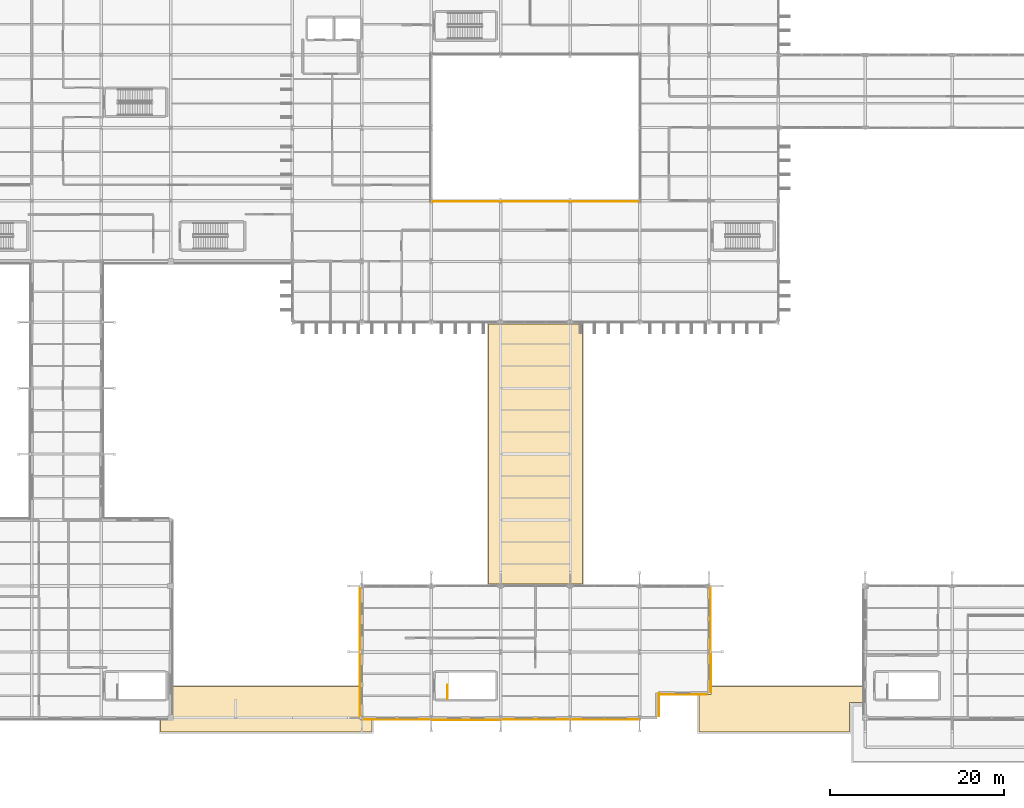
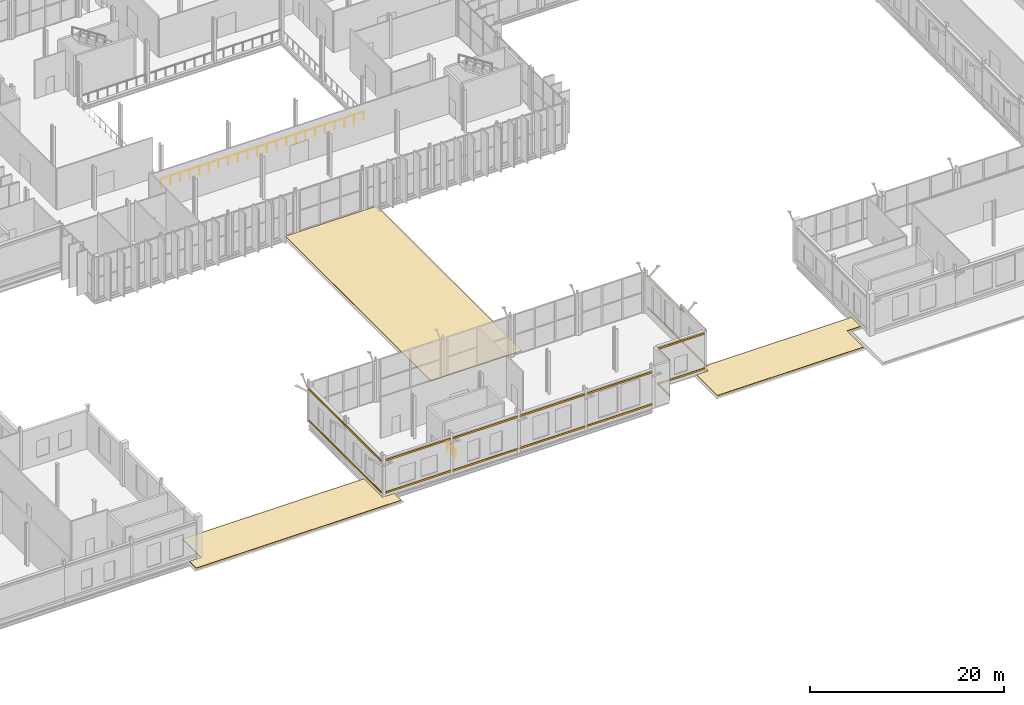
# One storey, part 134 of 147: 23 coverings, 2 railings.
"""IFC4 building model written with IfcOpenShell, lengths in metres."""

from ifc_helpers import new_model, si_unit, direction, frame, origin, origin_2d, place, context, subcontext, project, spatial, polyline, rectangle, circle, outline, extrude, material, layer, layer_set, type_object, element, save


model = new_model("IFC4")

# Units and contexts
model_context = context("Model", 3, precision=1e-05, world=origin(), true_north=direction((0.0, 1.0)))
body_context = subcontext(model_context, "Body", "Model", "MODEL_VIEW")
ifc_project = project(units=[si_unit("LENGTHUNIT", "METRE"), si_unit("AREAUNIT", "SQUARE_METRE"), si_unit("VOLUMEUNIT", "CUBIC_METRE"), si_unit("PLANEANGLEUNIT", "RADIAN"), si_unit("MASSUNIT", "GRAM", prefix="KILO")], contexts=[model_context])

# Site, building, storey
site_placement = place(None, origin())
site = spatial("IfcSite", under=ifc_project, at=site_placement, CompositionType="ELEMENT")
building_placement = place(site_placement, origin())
building = spatial("IfcBuilding", under=site, at=building_placement, Name="Vekula Escarpment Museum", CompositionType="ELEMENT")
storey_placement = place(building_placement, frame((0.0, 0.0, 7.800048828125)))
storey = spatial("IfcBuildingStorey", under=building, at=storey_placement, Name="L02", CompositionType="ELEMENT", Elevation=7.800048828125)

# Coverings
ifc_material_1 = material(Name="Polychrome limestone almasik string-course band", Category="masonry")
ifc_layer_1 = layer(ifc_material_1, 0.06005859375)
ifc_layer_set_1 = layer_set([ifc_layer_1], Name="Polychrome limestone almasik string-course band")
covering_type_1 = type_object("IfcCoveringType", Name="COV-ALM-BAND", PredefinedType="CLADDING", material=ifc_layer_set_1)
for number, where, z_axis, x_axis, name in (
    (1, (118.200927734375, 5.243896484375, 0.41015625), (0.0, 0.0, 1.0), (0.0, 1.0, 0.0), "Almasik Stone String Course L02-0478"),
    (2, (118.200927734375, 5.243896484375, 4.81982421875), (0.0, 0.0, 1.0), (0.0, 1.0, 0.0), "Almasik Stone String Course L02-0479"),
):
    element("IfcCovering", number, at=place(storey_placement, frame(where, z_axis=z_axis, x_axis=x_axis)), inside=storey, type_object=covering_type_1, Name=name, PredefinedType="CLADDING", context=body_context, shape_type="SweptSolid", body=[
        extrude(rectangle(XDim=4.592041015625, YDim=0.06005859375, at=origin_2d()), origin(), (0.0, 0.0, 1.0), 0.219970703125),
    ])
for number, where, z_axis, x_axis, name in (
    (3, (118.18603515625, 11.39990234375, 0.41015625), (0.0, 0.0, 1.0), (0.0, 1.0, 0.0), "Almasik Stone String Course L02-0480"),
    (4, (118.18603515625, 11.39990234375, 4.35498046875), (0.0, 0.0, 1.0), (0.0, 1.0, 0.0), "Almasik Stone String Course L02-0481"),
):
    element("IfcCovering", number, at=place(storey_placement, frame(where, z_axis=z_axis, x_axis=x_axis)), inside=storey, type_object=covering_type_1, Name=name, PredefinedType="CLADDING", context=body_context, shape_type="SweptSolid", body=[
        extrude(rectangle(XDim=7.47998046875, YDim=0.06005859375, at=origin_2d()), origin(), (0.0, 0.0, 1.0), 0.219970703125),
    ])
for number, where, z_axis, x_axis, name in (
    (5, (77.799072265625, 11.310546875, 0.41015625), (0.0, 0.0, 1.0), (0.0, 1.0, 0.0), "Almasik Stone String Course L02-0482"),
    (6, (77.799072265625, 11.310546875, 4.35498046875), (0.0, 0.0, 1.0), (0.0, 1.0, 0.0), "Almasik Stone String Course L02-0483"),
):
    element("IfcCovering", number, at=place(storey_placement, frame(where, z_axis=z_axis, x_axis=x_axis)), inside=storey, type_object=covering_type_1, Name=name, PredefinedType="CLADDING", context=body_context, shape_type="SweptSolid", body=[
        extrude(rectangle(XDim=7.301025390625, YDim=0.06005859375, at=origin_2d()), origin(), (0.0, 0.0, 1.0), 0.219970703125),
    ])
for number, where, z_axis, x_axis, name in (
    (7, (77.81396484375, 3.800048828125, 0.41015625), (0.0, 0.0, 1.0), (0.0, 1.0, 0.0), "Almasik Stone String Course L02-0484"),
    (8, (77.81396484375, 3.800048828125, 4.35498046875), (0.0, 0.0, 1.0), (0.0, 1.0, 0.0), "Almasik Stone String Course L02-0485"),
):
    element("IfcCovering", number, at=place(storey_placement, frame(where, z_axis=z_axis, x_axis=x_axis)), inside=storey, type_object=covering_type_1, Name=name, PredefinedType="CLADDING", context=body_context, shape_type="SweptSolid", body=[
        extrude(rectangle(XDim=7.47998046875, YDim=0.06005859375, at=origin_2d()), origin(), (0.0, 0.0, 1.0), 0.219970703125),
    ])
for number, where, z_axis, x_axis, name in (
    (9, (82.08203125, -0.176025390625, 0.41015625), (0.0, 0.0, 1.0), (1.0, 0.0, 0.0), "Almasik Stone String Course L02-0486"),
    (10, (82.08203125, -0.176025390625, 4.46484375), (0.0, 0.0, 1.0), (1.0, 0.0, 0.0), "Almasik Stone String Course L02-0487"),
):
    element("IfcCovering", number, at=place(storey_placement, frame(where, z_axis=z_axis, x_axis=x_axis)), inside=storey, type_object=covering_type_1, Name=name, PredefinedType="CLADDING", context=body_context, shape_type="SweptSolid", body=[
        extrude(rectangle(XDim=7.716064453125, YDim=0.06005859375, at=origin_2d()), origin(), (0.0, 0.0, 1.0), 0.219970703125),
    ])
for number, where, z_axis, x_axis, name in (
    (11, (90.0, -0.216064453125, 0.41015625), (0.0, 0.0, 1.0), (1.0, 0.0, 0.0), "Almasik Stone String Course L02-0488"),
    (12, (90.0, -0.216064453125, 4.46484375), (0.0, 0.0, 1.0), (1.0, 0.0, 0.0), "Almasik Stone String Course L02-0489"),
    (13, (98.0, -0.200927734375, 0.41015625), (0.0, 0.0, 1.0), (1.0, 0.0, 0.0), "Almasik Stone String Course L02-0490"),
    (14, (98.0, -0.200927734375, 4.46484375), (0.0, 0.0, 1.0), (1.0, 0.0, 0.0), "Almasik Stone String Course L02-0491"),
    (15, (106.0, -0.18603515625, 0.41015625), (0.0, 0.0, 1.0), (1.0, 0.0, 0.0), "Almasik Stone String Course L02-0492"),
    (16, (106.0, -0.18603515625, 4.46484375), (0.0, 0.0, 1.0), (1.0, 0.0, 0.0), "Almasik Stone String Course L02-0493"),
):
    element("IfcCovering", number, at=place(storey_placement, frame(where, z_axis=z_axis, x_axis=x_axis)), inside=storey, type_object=covering_type_1, Name=name, PredefinedType="CLADDING", context=body_context, shape_type="SweptSolid", body=[
        extrude(rectangle(XDim=7.8798828125, YDim=0.06005859375, at=origin_2d()), origin(), (0.0, 0.0, 1.0), 0.219970703125),
    ])
for number, where, z_axis, x_axis, name in (
    (17, (112.216064453125, 1.52099609375, 0.41015625), (0.0, 0.0, 1.0), (0.0, 1.0, 0.0), "Almasik Stone String Course L02-0494"),
    (18, (112.216064453125, 1.52099609375, 4.81982421875), (0.0, 0.0, 1.0), (0.0, 1.0, 0.0), "Almasik Stone String Course L02-0495"),
):
    element("IfcCovering", number, at=place(storey_placement, frame(where, z_axis=z_axis, x_axis=x_axis)), inside=storey, type_object=covering_type_1, Name=name, PredefinedType="CLADDING", context=body_context, shape_type="SweptSolid", body=[
        extrude(rectangle(XDim=2.614013671875, YDim=0.06005859375, at=origin_2d()), origin(), (0.0, 0.0, 1.0), 0.219970703125),
    ])
for number, where, z_axis, x_axis, name in (
    (19, (115.007568359375, 2.68701171875, 0.41015625), (0.0, 0.0, 1.0), (1.0, 0.0, 0.0), "Almasik Stone String Course L02-0496"),
    (20, (115.007568359375, 2.68701171875, 4.81982421875), (0.0, 0.0, 1.0), (1.0, 0.0, 0.0), "Almasik Stone String Course L02-0497"),
):
    element("IfcCovering", number, at=place(storey_placement, frame(where, z_axis=z_axis, x_axis=x_axis)), inside=storey, type_object=covering_type_1, Name=name, PredefinedType="CLADDING", context=body_context, shape_type="SweptSolid", body=[
        extrude(rectangle(XDim=5.507080078125, YDim=0.06005859375, at=origin_2d()), origin(), (0.0, 0.0, 1.0), 0.219970703125),
    ])
ifc_material_2 = material(Name="Insulated TPO roof waterproofing membrane", Category="membrane")
ifc_layer_2 = layer(ifc_material_2, 0.080078125)
ifc_layer_set_2 = layer_set([ifc_layer_2], Name="Insulated TPO roof waterproofing membrane")
covering_type_2 = type_object("IfcCoveringType", Name="COV-ROOF-MEMB", PredefinedType="ROOFING", material=ifc_layer_set_2)
covering_1_placement = place(storey_placement, origin())
element("IfcCovering", 21, at=covering_1_placement, inside=storey, type_object=covering_type_2, Name="Overhanging Eave Roof Covering R-L02-SLK", PredefinedType="ROOFING", context=body_context, shape_type="SweptSolid", body=[
    extrude(outline(polyline([(92.580078125, 45.389892578125), (103.419921875, 45.389892578125), (103.419921875, 15.409912109375), (92.580078125, 15.409912109375), (92.580078125, 45.389892578125)])), origin(), (0.0, 0.0, 1.0), 0.079833984375),
])
covering_2_placement = place(storey_placement, origin())
element("IfcCovering", 22, at=covering_2_placement, inside=storey, type_object=covering_type_2, Name="Overhanging Eave Roof Covering R-L02-FORESW", PredefinedType="ROOFING", context=body_context, shape_type="SweptSolid", body=[
    extrude(outline(polyline([(54.820068359375, -0.2099609375), (56.2099609375, -0.2099609375), (56.2099609375, 3.6201171875), (77.7900390625, 3.6201171875), (77.7900390625, -0.2099609375), (79.179931640625, -0.2099609375), (79.179931640625, -1.6201171875), (54.820068359375, -1.6201171875), (54.820068359375, -0.2099609375)])), origin(), (0.0, 0.0, 1.0), 0.079833984375),
])
covering_3_placement = place(storey_placement, origin())
element("IfcCovering", 23, at=covering_3_placement, inside=storey, type_object=covering_type_2, Name="Overhanging Eave Roof Covering R-L02-FORESE", PredefinedType="ROOFING", context=body_context, shape_type="SweptSolid", body=[
    extrude(outline(polyline([(116.820068359375, 2.677978515625), (118.2099609375, 2.677978515625), (118.2099609375, 3.6201171875), (135.7900390625, 3.6201171875), (135.7900390625, 1.764892578125), (134.195068359375, 1.764892578125), (134.195068359375, -1.6201171875), (116.820068359375, -1.6201171875), (116.820068359375, 2.677978515625)])), origin(), (0.0, 0.0, 1.0), 0.079833984375),
])

# Railings
ifc_material_3 = material(Name="Bronze-coated Steel S355 balustrade", Category="steel")
railing_type_1 = type_object("IfcRailingType", Name="RL-ATR-BAL", PredefinedType="BALUSTRADE", material=ifc_material_3)
railing_1_placement = place(storey_placement, frame((85.89990234375, 59.5, 0.0)))
element("IfcRailing", 24, at=railing_1_placement, inside=storey, type_object=railing_type_1, Name="Central Atrium Balustrade L02 S", PredefinedType="BALUSTRADE", context=body_context, shape_type="SweptSolid", body=[
    extrude(circle(Radius=0.02392578125, at=origin_2d()), frame((0.0, 0.0, 1.076171875), z_axis=(1.0, 0.0, 0.0), x_axis=(0.0, 1.0, 0.0)), (0.0, 0.0, 1.0), 24.14013671875),
    extrude(circle(Radius=0.02099609375, at=origin_2d()), origin(), (0.0, 0.0, 1.0), 1.052001953125),
    extrude(circle(Radius=0.02099609375, at=origin_2d()), frame((1.1494140625, 0.0, 0.0)), (0.0, 0.0, 1.0), 1.052001953125),
    extrude(circle(Radius=0.02099609375, at=origin_2d()), frame((2.299072265625, 0.0, 0.0)), (0.0, 0.0, 1.0), 1.052001953125),
    extrude(circle(Radius=0.02099609375, at=origin_2d()), frame((3.448486328125, 0.0, 0.0)), (0.0, 0.0, 1.0), 1.052001953125),
    extrude(circle(Radius=0.02099609375, at=origin_2d()), frame((4.59814453125, 0.0, 0.0)), (0.0, 0.0, 1.0), 1.052001953125),
    extrude(circle(Radius=0.02099609375, at=origin_2d()), frame((5.74755859375, 0.0, 0.0)), (0.0, 0.0, 1.0), 1.052001953125),
    extrude(circle(Radius=0.02099609375, at=origin_2d()), frame((6.897216796875, 0.0, 0.0)), (0.0, 0.0, 1.0), 1.052001953125),
    extrude(circle(Radius=0.02099609375, at=origin_2d()), frame((8.046630859375, 0.0, 0.0)), (0.0, 0.0, 1.0), 1.052001953125),
    extrude(circle(Radius=0.02099609375, at=origin_2d()), frame((9.1962890625, 0.0, 0.0)), (0.0, 0.0, 1.0), 1.052001953125),
    extrude(circle(Radius=0.02099609375, at=origin_2d()), frame((10.345703125, 0.0, 0.0)), (0.0, 0.0, 1.0), 1.052001953125),
    extrude(circle(Radius=0.02099609375, at=origin_2d()), frame((11.495361328125, 0.0, 0.0)), (0.0, 0.0, 1.0), 1.052001953125),
    extrude(circle(Radius=0.02099609375, at=origin_2d()), frame((12.644775390625, 0.0, 0.0)), (0.0, 0.0, 1.0), 1.052001953125),
    extrude(circle(Radius=0.02099609375, at=origin_2d()), frame((13.79443359375, 0.0, 0.0)), (0.0, 0.0, 1.0), 1.052001953125),
    extrude(circle(Radius=0.02099609375, at=origin_2d()), frame((14.94384765625, 0.0, 0.0)), (0.0, 0.0, 1.0), 1.052001953125),
    extrude(circle(Radius=0.02099609375, at=origin_2d()), frame((16.093505859375, 0.0, 0.0)), (0.0, 0.0, 1.0), 1.052001953125),
    extrude(circle(Radius=0.02099609375, at=origin_2d()), frame((17.242919921875, 0.0, 0.0)), (0.0, 0.0, 1.0), 1.052001953125),
    extrude(circle(Radius=0.02099609375, at=origin_2d()), frame((18.392578125, 0.0, 0.0)), (0.0, 0.0, 1.0), 1.052001953125),
    extrude(circle(Radius=0.02099609375, at=origin_2d()), frame((19.5419921875, 0.0, 0.0)), (0.0, 0.0, 1.0), 1.052001953125),
    extrude(circle(Radius=0.02099609375, at=origin_2d()), frame((20.691650390625, 0.0, 0.0)), (0.0, 0.0, 1.0), 1.052001953125),
    extrude(circle(Radius=0.02099609375, at=origin_2d()), frame((21.841064453125, 0.0, 0.0)), (0.0, 0.0, 1.0), 1.052001953125),
    extrude(circle(Radius=0.02099609375, at=origin_2d()), frame((22.99072265625, 0.0, 0.0)), (0.0, 0.0, 1.0), 1.052001953125),
    extrude(circle(Radius=0.02099609375, at=origin_2d()), frame((24.14013671875, 0.0, 0.0)), (0.0, 0.0, 1.0), 1.052001953125),
])
ifc_material_4 = material(Name="Painted Steel S355 stair guard", Category="steel")
railing_type_2 = type_object("IfcRailingType", Name="RL-STAIR-GUARD", PredefinedType="GUARDRAIL", material=ifc_material_4)
railing_2_placement = place(storey_placement, frame((87.8701171875, 2.199951171875, 0.0)))
element("IfcRailing", 25, at=railing_2_placement, inside=storey, type_object=railing_type_2, Name="L02 ST-11 top well guard 1", PredefinedType="GUARDRAIL", context=body_context, shape_type="SweptSolid", body=[
    extrude(circle(Radius=0.02392578125, at=origin_2d()), frame((0.0, 0.0, 1.076171875), z_axis=(0.0, 1.0, 0.0), x_axis=(-1.0, 0.0, 0.0)), (0.0, 0.0, 1.0), 1.6201171875),
    extrude(circle(Radius=0.02099609375, at=origin_2d()), origin(), (0.0, 0.0, 1.0), 1.052001953125),
    extrude(circle(Radius=0.02099609375, at=origin_2d()), frame((0.0, 0.81005859375, 0.0)), (0.0, 0.0, 1.0), 1.052001953125),
    extrude(circle(Radius=0.02099609375, at=origin_2d()), frame((0.0, 1.6201171875, 0.0)), (0.0, 0.0, 1.0), 1.052001953125),
])

save(model, "model.ifc")
